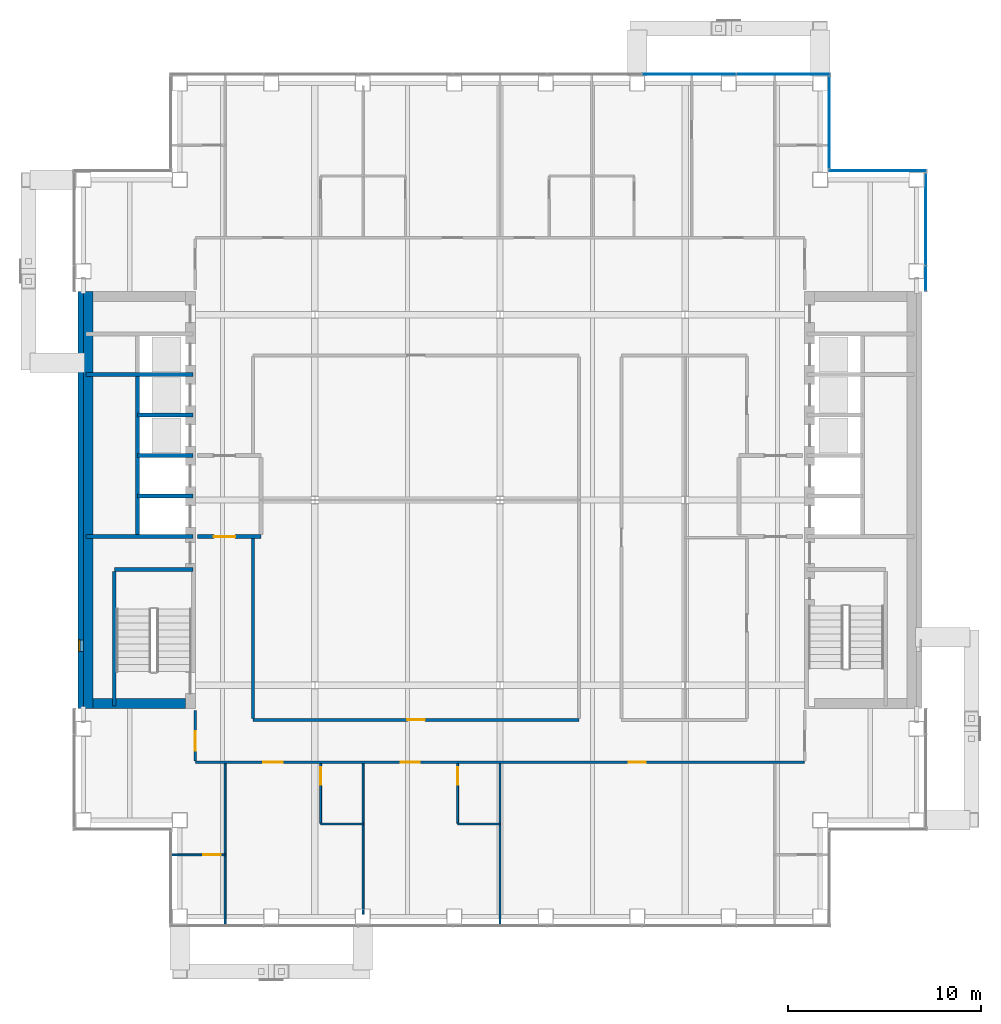
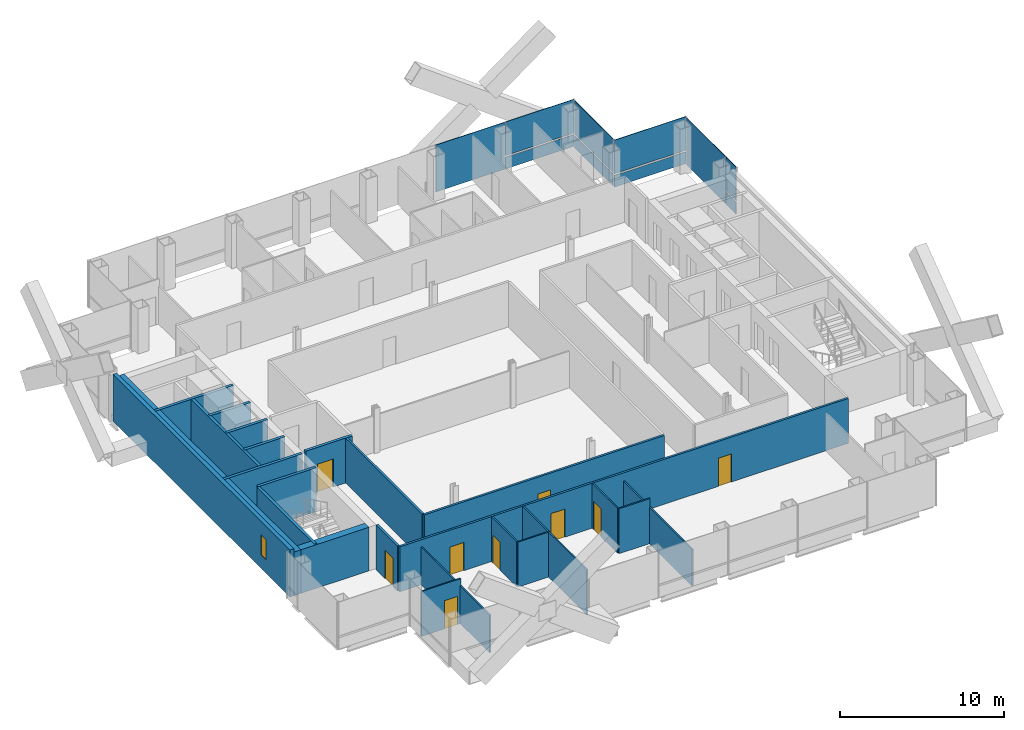
# One storey, part 9 of 14: 24 walls, 10 plates, 9 doors, 1 window, 10 openings, 4 elements without a shape of their own.
"""IFC4 building model written with IfcOpenShell, lengths in metres."""

from ifc_helpers import new_model, si_unit, direction, frame, frame_2d, origin, origin_2d, place, context, subcontext, project, spatial, rectangle, extrude, material, layer, layer_set, type_object, element, fill, aggregate, save


model = new_model("IFC4")

# Units and contexts
model_context = context("Model", 3, precision=1e-05, world=origin(), true_north=direction((0.0, 1.0)))
body_context = subcontext(model_context, "Body", "Model", "MODEL_VIEW")
ifc_project = project(units=[si_unit("LENGTHUNIT", "METRE"), si_unit("AREAUNIT", "SQUARE_METRE"), si_unit("VOLUMEUNIT", "CUBIC_METRE"), si_unit("PLANEANGLEUNIT", "RADIAN"), si_unit("MASSUNIT", "GRAM", prefix="KILO")], contexts=[model_context])

# Site, building, storey
site_placement = place(None, origin())
site = spatial("IfcSite", under=ifc_project, at=site_placement, CompositionType="ELEMENT")
building_placement = place(site_placement, origin())
building = spatial("IfcBuilding", under=site, at=building_placement, Name="Cobrizo Arcos Hotel Tower", CompositionType="ELEMENT")
storey_placement = place(building_placement, frame((0.0, 0.0, 179.5)))
storey = spatial("IfcBuildingStorey", under=building, at=storey_placement, Name="L46", CompositionType="ELEMENT", Elevation=179.5)

# Curtain wall, plate
ifc_material_1 = material(Name="Aluminium 6063-T6 anodised bronze", Category="aluminium")
curtain_wall_type = type_object("IfcCurtainWallType", Name="CW-A guest facade", PredefinedType="NOTDEFINED", material=ifc_material_1)
curtain_wall_1_placement = place(storey_placement, origin())
curtain_wall_1 = element("IfcCurtainWall", 1, at=curtain_wall_1_placement, inside=storey, type_object=curtain_wall_type, Name="CW-A L46 E face", PredefinedType="NOTDEFINED")
ifc_material_2 = material(Name="Glass clear laminated low-e", Category="glass")
ifc_layer_1 = layer(ifc_material_2, 0.0400390625)
ifc_layer_set_1 = layer_set([ifc_layer_1], Name="CW-A glass panel")
plate_type_1 = type_object("IfcPlateType", Name="CW-A glass panel", PredefinedType="CURTAIN_PANEL", material=ifc_layer_set_1)
plate_1_placement = place(storey_placement, frame((22.074951171875, 11.486328125, 0.990234375), z_axis=(0.0, 0.0, 1.0), x_axis=(0.0, 1.0, 0.0)))
plate_1 = element("IfcPlate", 2, at=plate_1_placement, type_object=plate_type_1, Name="CW-A glass panel 1617", PredefinedType="CURTAIN_PANEL", context=body_context, shape_type="SweptSolid", body=[
    extrude(rectangle(XDim=1.2529296875, YDim=0.0400390625, at=origin_2d()), origin(), (0.0, 0.0, 1.0), 2.510009765625),
])

curtain_wall_2_placement = place(storey_placement, origin())
curtain_wall_2 = element("IfcCurtainWall", 3, at=curtain_wall_2_placement, inside=storey, type_object=curtain_wall_type, Name="CW-A L46 N face", PredefinedType="NOTDEFINED")
plate_2_placement = place(storey_placement, frame((19.574951171875, 17.074951171875, 0.990234375), z_axis=(0.0, 0.0, 1.0), x_axis=(-1.0, 0.0, 0.0)))
plate_2 = element("IfcPlate", 4, at=plate_2_placement, type_object=plate_type_1, Name="CW-A glass panel 1619", PredefinedType="CURTAIN_PANEL", context=body_context, shape_type="SweptSolid", body=[
    extrude(rectangle(XDim=5.030029296875, YDim=0.0400390625, at=origin_2d()), origin(), (0.0, 0.0, 1.0), 2.510009765625),
])

curtain_wall_3_placement = place(storey_placement, origin())
curtain_wall_3 = element("IfcCurtainWall", 5, at=curtain_wall_3_placement, inside=storey, type_object=curtain_wall_type, Name="CW-A L46 E face", PredefinedType="NOTDEFINED")
plate_3_placement = place(storey_placement, frame((17.074951171875, 19.574951171875, 0.990234375), z_axis=(0.0, 0.0, 1.0), x_axis=(0.0, 1.0, 0.0)))
plate_3 = element("IfcPlate", 6, at=plate_3_placement, type_object=plate_type_1, Name="CW-A glass panel 1620", PredefinedType="CURTAIN_PANEL", context=body_context, shape_type="SweptSolid", body=[
    extrude(rectangle(XDim=4.72998046875, YDim=0.0400390625, at=origin_2d()), origin(), (0.0, 0.0, 1.0), 2.510009765625),
])

curtain_wall_4_placement = place(storey_placement, origin())
curtain_wall_4 = element("IfcCurtainWall", 7, at=curtain_wall_4_placement, inside=storey, type_object=curtain_wall_type, Name="CW-A L46 N face", PredefinedType="NOTDEFINED")
plate_4_placement = place(storey_placement, frame((14.68505859375, 22.074951171875, 0.990234375), z_axis=(0.0, 0.0, 1.0), x_axis=(-1.0, 0.0, 0.0)))
plate_4 = element("IfcPlate", 8, at=plate_4_placement, type_object=plate_type_1, Name="CW-A glass panel 1621", PredefinedType="CURTAIN_PANEL", context=body_context, shape_type="SweptSolid", body=[
    extrude(rectangle(XDim=4.81005859375, YDim=0.0400390625, at=origin_2d()), origin(), (0.0, 0.0, 1.0), 2.510009765625),
])

# Plate
ifc_material_3 = material(Name="Aluminium composite panel pale metal", Category="aluminium")
ifc_layer_2 = layer(ifc_material_3, 0.0400390625)
ifc_layer_set_2 = layer_set([ifc_layer_2], Name="CW-A spandrel panel")
plate_type_2 = type_object("IfcPlateType", Name="CW-A spandrel panel", PredefinedType="CURTAIN_PANEL", material=ifc_layer_set_2)
plate_5_placement = place(storey_placement, frame((22.074951171875, 11.486328125, 0.0), z_axis=(0.0, 0.0, 1.0), x_axis=(0.0, 1.0, 0.0)))
plate_5 = element("IfcPlate", 9, at=plate_5_placement, type_object=plate_type_2, Name="CW-A spandrel panel 1617", PredefinedType="CURTAIN_PANEL", context=body_context, shape_type="SweptSolid", body=[
    extrude(rectangle(XDim=1.2529296875, YDim=0.0400390625, at=origin_2d()), origin(), (0.0, 0.0, 1.0), 0.8701171875),
])

plate_6_placement = place(storey_placement, frame((22.074951171875, 14.556396484375, 0.0), z_axis=(0.0, 0.0, 1.0), x_axis=(0.0, 1.0, 0.0)))
plate_6 = element("IfcPlate", 10, at=plate_6_placement, type_object=plate_type_2, Name="CW-A spandrel panel 1618", PredefinedType="CURTAIN_PANEL", context=body_context, shape_type="SweptSolid", body=[
    extrude(rectangle(XDim=4.76708984375, YDim=0.0400390625, at=origin_2d()), origin(), (0.0, 0.0, 1.0), 3.5),
])

aggregate(curtain_wall_1, [plate_5, plate_1, plate_6])

plate_7_placement = place(storey_placement, frame((19.574951171875, 17.074951171875, 0.0), z_axis=(0.0, 0.0, 1.0), x_axis=(-1.0, 0.0, 0.0)))
plate_7 = element("IfcPlate", 11, at=plate_7_placement, type_object=plate_type_2, Name="CW-A spandrel panel 1619", PredefinedType="CURTAIN_PANEL", context=body_context, shape_type="SweptSolid", body=[
    extrude(rectangle(XDim=5.030029296875, YDim=0.0400390625, at=origin_2d()), origin(), (0.0, 0.0, 1.0), 0.8701171875),
])

aggregate(curtain_wall_2, [plate_7, plate_2])

plate_8_placement = place(storey_placement, frame((17.074951171875, 19.574951171875, 0.0), z_axis=(0.0, 0.0, 1.0), x_axis=(0.0, 1.0, 0.0)))
plate_8 = element("IfcPlate", 12, at=plate_8_placement, type_object=plate_type_2, Name="CW-A spandrel panel 1620", PredefinedType="CURTAIN_PANEL", context=body_context, shape_type="SweptSolid", body=[
    extrude(rectangle(XDim=4.72998046875, YDim=0.0400390625, at=origin_2d()), origin(), (0.0, 0.0, 1.0), 0.8701171875),
])

aggregate(curtain_wall_3, [plate_8, plate_3])

plate_9_placement = place(storey_placement, frame((14.68505859375, 22.074951171875, 0.0), z_axis=(0.0, 0.0, 1.0), x_axis=(-1.0, 0.0, 0.0)))
plate_9 = element("IfcPlate", 13, at=plate_9_placement, type_object=plate_type_2, Name="CW-A spandrel panel 1621", PredefinedType="CURTAIN_PANEL", context=body_context, shape_type="SweptSolid", body=[
    extrude(rectangle(XDim=4.81005859375, YDim=0.0400390625, at=origin_2d()), origin(), (0.0, 0.0, 1.0), 0.8701171875),
])

plate_10_placement = place(storey_placement, frame((9.800048828125, 22.074951171875, 0.0), z_axis=(0.0, 0.0, 1.0), x_axis=(-1.0, 0.0, 0.0)))
plate_10 = element("IfcPlate", 14, at=plate_10_placement, type_object=plate_type_2, Name="CW-A spandrel panel 1622", PredefinedType="CURTAIN_PANEL", context=body_context, shape_type="SweptSolid", body=[
    extrude(rectangle(XDim=4.840087890625, YDim=0.0400390625, at=origin_2d()), origin(), (0.0, 0.0, 1.0), 3.5),
])

aggregate(curtain_wall_4, [plate_9, plate_4, plate_10])

# Wall, openings, doors
ifc_material_4 = material(Name="Gypsum board partition")
ifc_layer_3 = layer(ifc_material_4, 0.14990234375)
ifc_layer_set_3 = layer_set([ifc_layer_3], Name="Corridor wall EI 60 150")
wall_type_1 = type_object("IfcWallType", Name="Corridor wall EI 60 150", PredefinedType="PARTITIONING", material=ifc_layer_set_3)
wall_1_placement = place(storey_placement, frame((-15.800048828125, -13.60009765625, 0.0), z_axis=(0.0, 0.0, 1.0), x_axis=(1.0, 0.0, 0.0)))
wall_1 = element("IfcWall", 15, at=wall_1_placement, inside=storey, type_object=wall_type_1, Name="Partition 005", PredefinedType="PARTITIONING", context=body_context, shape_type="SweptSolid", body=[
    extrude(rectangle(XDim=31.60009765625, YDim=0.14990234375, at=frame_2d((15.800048828125, 0.0))), origin(), (0.0, 0.0, 1.0), 3.35009765625),
])
opening_1_placement = place(wall_1_placement, frame((3.529052734375, 0.0, 0.0)))
opening_1 = element("IfcOpeningElement", 16, at=opening_1_placement, cuts=wall_1, Name="Opening GD-05", PredefinedType="OPENING", context=body_context, shape_type="SweptSolid", body=[
    extrude(rectangle(XDim=1.0, YDim=2.10009765625, at=frame_2d((0.5, 1.050048828125))), frame((0.0, 0.0869140625, 0.0), z_axis=(0.0, -1.0, 0.0), x_axis=(1.0, 0.0, 0.0)), (0.0, 0.0, 1.0), 0.173828125),
])
opening_2_placement = place(wall_1_placement, frame((10.64306640625, 0.0, 0.0)))
opening_2 = element("IfcOpeningElement", 17, at=opening_2_placement, cuts=wall_1, Name="Opening GD-06", PredefinedType="OPENING", context=body_context, shape_type="SweptSolid", body=[
    extrude(rectangle(XDim=1.0, YDim=2.10009765625, at=frame_2d((0.5, 1.050048828125))), frame((0.0, 0.0869140625, 0.0), z_axis=(0.0, -1.0, 0.0), x_axis=(1.0, 0.0, 0.0)), (0.0, 0.0, 1.0), 0.173828125),
])
opening_3_placement = place(wall_1_placement, frame((22.465087890625, 0.0, 0.0)))
opening_3 = element("IfcOpeningElement", 18, at=opening_3_placement, cuts=wall_1, Name="Opening RD-04", PredefinedType="OPENING", context=body_context, shape_type="SweptSolid", body=[
    extrude(rectangle(XDim=0.89990234375, YDim=2.10009765625, at=frame_2d((0.449951171875, 1.050048828125))), frame((0.0, 0.0869140625, 0.0), z_axis=(0.0, -1.0, 0.0), x_axis=(1.0, 0.0, 0.0)), (0.0, 0.0, 1.0), 0.173828125),
])
ifc_material_5 = material(Name="Timber door leaf", Category="wood")
door_type_1 = type_object("IfcDoorType", Name="Guest room door FD30S 1000x2100", OperationType="SINGLE_SWING_LEFT", PredefinedType="DOOR", material=ifc_material_5)
door_1_placement = place(opening_1_placement, origin())
door_1 = element("IfcDoor", 19, at=door_1_placement, inside=storey, type_object=door_type_1, Name="Door GD-05", OperationType="SINGLE_SWING_RIGHT", OverallHeight=2.10009765625, OverallWidth=1.0, PredefinedType="DOOR", context=body_context, shape_type="SweptSolid", body=[
    extrude(rectangle(XDim=1.0, YDim=2.10009765625, at=frame_2d((0.5, 1.050048828125))), frame((0.0, 0.02490234375, 0.0), z_axis=(0.0, -1.0, 0.0), x_axis=(1.0, 0.0, 0.0)), (0.0, 0.0, 1.0), 0.050048828125),
])
fill(opening_1, door_1)
door_2_placement = place(opening_2_placement, origin())
door_2 = element("IfcDoor", 20, at=door_2_placement, inside=storey, type_object=door_type_1, Name="Door GD-06", OperationType="SINGLE_SWING_RIGHT", OverallHeight=2.10009765625, OverallWidth=1.0, PredefinedType="DOOR", context=body_context, shape_type="SweptSolid", body=[
    extrude(rectangle(XDim=1.0, YDim=2.10009765625, at=frame_2d((0.5, 1.050048828125))), frame((0.0, 0.02490234375, 0.0), z_axis=(0.0, -1.0, 0.0), x_axis=(1.0, 0.0, 0.0)), (0.0, 0.0, 1.0), 0.050048828125),
])
fill(opening_2, door_2)
door_type_2 = type_object("IfcDoorType", Name="Room door FD30 900x2100", OperationType="SINGLE_SWING_LEFT", PredefinedType="DOOR", material=ifc_material_5)
door_3_placement = place(opening_3_placement, origin())
door_3 = element("IfcDoor", 21, at=door_3_placement, inside=storey, type_object=door_type_2, Name="Door RD-04", OperationType="SINGLE_SWING_LEFT", OverallHeight=2.10009765625, OverallWidth=0.89990234375, PredefinedType="DOOR", context=body_context, shape_type="SweptSolid", body=[
    extrude(rectangle(XDim=0.89990234375, YDim=2.10009765625, at=frame_2d((0.449951171875, 1.050048828125))), frame((0.0, 0.02490234375, 0.0), z_axis=(0.0, -1.0, 0.0), x_axis=(1.0, 0.0, 0.0)), (0.0, 0.0, 1.0), 0.050048828125),
])
fill(opening_3, door_3)

# Wall, opening, door
wall_2_placement = place(storey_placement, frame((-12.800048828125, -11.39990234375, 0.0), z_axis=(0.0, 0.0, 1.0), x_axis=(1.0, 0.0, 0.0)))
wall_2 = element("IfcWall", 22, at=wall_2_placement, inside=storey, type_object=wall_type_1, Name="Partition 006", PredefinedType="PARTITIONING", context=body_context, shape_type="SweptSolid", body=[
    extrude(rectangle(XDim=16.900146484375, YDim=0.14990234375, at=frame_2d((8.4501953125, 0.0))), origin(), (0.0, 0.0, 1.0), 3.35009765625),
])
opening_4_placement = place(wall_2_placement, frame((8.0, 0.0, 0.0)))
opening_4 = element("IfcOpeningElement", 23, at=opening_4_placement, cuts=wall_2, Name="Opening RD-07", PredefinedType="OPENING", context=body_context, shape_type="SweptSolid", body=[
    extrude(rectangle(XDim=0.89990234375, YDim=2.10009765625, at=frame_2d((0.449951171875, 1.050048828125))), frame((0.0, 0.0869140625, 0.0), z_axis=(0.0, -1.0, 0.0), x_axis=(1.0, 0.0, 0.0)), (0.0, 0.0, 1.0), 0.173828125),
])
door_4_placement = place(opening_4_placement, origin())
door_4 = element("IfcDoor", 24, at=door_4_placement, inside=storey, type_object=door_type_2, Name="Door RD-07", OperationType="SINGLE_SWING_LEFT", OverallHeight=2.10009765625, OverallWidth=0.89990234375, PredefinedType="DOOR", context=body_context, shape_type="SweptSolid", body=[
    extrude(rectangle(XDim=0.89990234375, YDim=2.10009765625, at=frame_2d((0.449951171875, 1.050048828125))), frame((0.0, 0.02490234375, 0.0), z_axis=(0.0, -1.0, 0.0), x_axis=(1.0, 0.0, 0.0)), (0.0, 0.0, 1.0), 0.050048828125),
])
fill(opening_4, door_4)

wall_3_placement = place(storey_placement, frame((-15.800048828125, -13.52490234375, 0.0), z_axis=(0.0, 0.0, 1.0), x_axis=(0.0, 1.0, 0.0)))
wall_3 = element("IfcWall", 25, at=wall_3_placement, inside=storey, type_object=wall_type_1, Name="Partition 043", PredefinedType="PARTITIONING", context=body_context, shape_type="SweptSolid", body=[
    extrude(rectangle(XDim=2.60498046875, YDim=0.14990234375, at=frame_2d((1.302490234375, 0.0))), origin(), (0.0, 0.0, 1.0), 3.35009765625),
])
opening_5_placement = place(wall_3_placement, frame((0.52490234375, 0.0, 0.0)))
opening_5 = element("IfcOpeningElement", 26, at=opening_5_placement, cuts=wall_3, Name="Opening GD-07", PredefinedType="OPENING", context=body_context, shape_type="SweptSolid", body=[
    extrude(rectangle(XDim=1.0, YDim=2.10009765625, at=frame_2d((0.5, 1.050048828125))), frame((0.0, 0.0869140625, 0.0), z_axis=(0.0, -1.0, 0.0), x_axis=(1.0, 0.0, 0.0)), (0.0, 0.0, 1.0), 0.173828125),
])
door_5_placement = place(opening_5_placement, origin())
door_5 = element("IfcDoor", 27, at=door_5_placement, inside=storey, type_object=door_type_1, Name="Door GD-07", OperationType="SINGLE_SWING_RIGHT", OverallHeight=2.10009765625, OverallWidth=1.0, PredefinedType="DOOR", context=body_context, shape_type="SweptSolid", body=[
    extrude(rectangle(XDim=1.0, YDim=2.10009765625, at=frame_2d((0.5, 1.050048828125))), frame((0.0, 0.02490234375, 0.0), z_axis=(0.0, -1.0, 0.0), x_axis=(1.0, 0.0, 0.0)), (0.0, 0.0, 1.0), 0.050048828125),
])
fill(opening_5, door_5)

# Wall
wall_4_placement = place(storey_placement, frame((-12.800048828125, -11.324951171875, 0.0), z_axis=(0.0, 0.0, 1.0), x_axis=(0.0, 1.0, 0.0)))
element("IfcWall", 28, at=wall_4_placement, inside=storey, type_object=wall_type_1, Name="Partition 047", PredefinedType="PARTITIONING", context=body_context, shape_type="SweptSolid", body=[
    extrude(rectangle(XDim=9.324951171875, YDim=0.14990234375, at=frame_2d((4.66259765625, 0.0))), origin(), (0.0, 0.0, 1.0), 3.35009765625),
])

# Wall, opening, window
ifc_layer_4 = layer(ifc_material_3, 0.27490234375)
ifc_layer_set_4 = layer_set([ifc_layer_4], Name="EW-1 insulated panel wall 275")
wall_type_2 = type_object("IfcWallType", Name="EW-1 insulated panel wall 275", PredefinedType="SOLIDWALL", material=ifc_layer_set_4)
wall_5_placement = place(storey_placement, frame((-21.737548828125, 10.800048828125, 0.0), z_axis=(0.0, 0.0, 1.0), x_axis=(0.0, -1.0, 0.0)))
wall_5 = element("IfcWall", 29, at=wall_5_placement, inside=storey, type_object=wall_type_2, Name="Core face wall L46 W", PredefinedType="SOLIDWALL", context=body_context, shape_type="SweptSolid", body=[
    extrude(rectangle(XDim=21.60009765625, YDim=0.27490234375, at=frame_2d((10.800048828125, 0.0))), origin(), (0.0, 0.0, 1.0), 3.5),
])
opening_6_placement = place(wall_5_placement, frame((18.050048828125, 0.0, 1.0)))
opening_6 = element("IfcOpeningElement", 30, at=opening_6_placement, cuts=wall_5, Name="Opening W-100", PredefinedType="OPENING", context=body_context, shape_type="SweptSolid", body=[
    extrude(rectangle(XDim=0.60009765625, YDim=1.5, at=frame_2d((0.300048828125, 0.75))), frame((0.0, 0.1494140625, 0.0), z_axis=(0.0, -1.0, 0.0), x_axis=(1.0, 0.0, 0.0)), (0.0, 0.0, 1.0), 0.298828125),
])
ifc_material_6 = material(Name="Aluminium 6063-T6 and clear laminated glass", Category="aluminium")
window_type = type_object("IfcWindowType", Name="W-C1 core stair slot window 600x1500", PartitioningType="SINGLE_PANEL", PredefinedType="WINDOW", material=ifc_material_6)
window_placement = place(opening_6_placement, origin())
window = element("IfcWindow", 31, at=window_placement, inside=storey, type_object=window_type, Name="Core face wall L46 W window W-100", OverallHeight=1.5, OverallWidth=0.60009765625, PartitioningType="SINGLE_PANEL", PredefinedType="WINDOW", context=body_context, shape_type="SweptSolid", body=[
    extrude(rectangle(XDim=0.60009765625, YDim=1.5, at=frame_2d((0.300048828125, 0.75))), frame((0.0, -0.04736328125, 0.0), z_axis=(0.0, -1.0, 0.0), x_axis=(1.0, 0.0, 0.0)), (0.0, 0.0, 1.0), 0.06005859375),
])
fill(opening_6, window)

# Wall, opening, door
ifc_layer_5 = layer(ifc_material_4, 0.10009765625)
ifc_layer_set_5 = layer_set([ifc_layer_5], Name="Partition EI 30 100")
wall_type_3 = type_object("IfcWallType", Name="Partition EI 30 100", PredefinedType="PARTITIONING", material=ifc_layer_set_5)
wall_6_placement = place(storey_placement, frame((-17.030029296875, -18.39990234375, 0.0), z_axis=(0.0, 0.0, 1.0), x_axis=(1.0, 0.0, 0.0)))
wall_6 = element("IfcWall", 32, at=wall_6_placement, inside=storey, type_object=wall_type_3, Name="Partition 001", PredefinedType="PARTITIONING", context=body_context, shape_type="SweptSolid", body=[
    extrude(rectangle(XDim=2.780029296875, YDim=0.10009765625, at=frame_2d((1.39013671875, 0.0))), origin(), (0.0, 0.0, 1.0), 3.35009765625),
])
opening_7_placement = place(wall_6_placement, frame((1.639892578125, 0.0, 0.0)))
opening_7 = element("IfcOpeningElement", 33, at=opening_7_placement, cuts=wall_6, Name="Opening ED-07", PredefinedType="OPENING", context=body_context, shape_type="SweptSolid", body=[
    extrude(rectangle(XDim=0.89990234375, YDim=2.10009765625, at=frame_2d((0.449951171875, 1.050048828125))), frame((0.0, 0.06201171875, 0.0), z_axis=(0.0, -1.0, 0.0), x_axis=(1.0, 0.0, 0.0)), (0.0, 0.0, 1.0), 0.1240234375),
])
door_type_3 = type_object("IfcDoorType", Name="En-suite door 900x2100", OperationType="SINGLE_SWING_LEFT", PredefinedType="DOOR", material=ifc_material_5)
door_6_placement = place(opening_7_placement, origin())
door_6 = element("IfcDoor", 34, at=door_6_placement, inside=storey, type_object=door_type_3, Name="Door ED-07", OperationType="SINGLE_SWING_RIGHT", OverallHeight=2.10009765625, OverallWidth=0.89990234375, PredefinedType="DOOR", context=body_context, shape_type="SweptSolid", body=[
    extrude(rectangle(XDim=0.89990234375, YDim=2.10009765625, at=frame_2d((0.449951171875, 1.050048828125))), frame((0.0, 0.02490234375, 0.0), z_axis=(0.0, -1.0, 0.0), x_axis=(1.0, 0.0, 0.0)), (0.0, 0.0, 1.0), 0.050048828125),
])
fill(opening_7, door_6)

# Walls
for number, where, z_axis, x_axis, name in (
    (35, (-9.300048828125, -16.800048828125, 0.0), (0.0, 0.0, 1.0), (1.0, 0.0, 0.0), "Partition 003"),
    (36, (-2.199951171875, -16.800048828125, 0.0), (0.0, 0.0, 1.0), (1.0, 0.0, 0.0), "Partition 004"),
):
    element("IfcWall", number, at=place(storey_placement, frame(where, z_axis=z_axis, x_axis=x_axis)), inside=storey, type_object=wall_type_3, Name=name, PredefinedType="PARTITIONING", context=body_context, shape_type="SweptSolid", body=[
        extrude(rectangle(XDim=2.199951171875, YDim=0.10009765625, at=frame_2d((1.10009765625, 0.0))), origin(), (0.0, 0.0, 1.0), 3.35009765625),
    ])
wall_7_placement = place(storey_placement, frame((-14.25, -22.030029296875, 0.0), z_axis=(0.0, 0.0, 1.0), x_axis=(0.0, 1.0, 0.0)))
element("IfcWall", 37, at=wall_7_placement, inside=storey, type_object=wall_type_3, Name="Partition 045", PredefinedType="PARTITIONING", context=body_context, shape_type="SweptSolid", body=[
    extrude(rectangle(XDim=8.35498046875, YDim=0.10009765625, at=frame_2d((4.177490234375, 0.0))), origin(), (0.0, 0.0, 1.0), 2.81689453125),
])

# Wall, opening, door
wall_8_placement = place(storey_placement, frame((-9.300048828125, -16.75, 0.0), z_axis=(0.0, 0.0, 1.0), x_axis=(0.0, 1.0, 0.0)))
wall_8 = element("IfcWall", 38, at=wall_8_placement, inside=storey, type_object=wall_type_3, Name="Partition 050", PredefinedType="PARTITIONING", context=body_context, shape_type="SweptSolid", body=[
    extrude(rectangle(XDim=3.074951171875, YDim=0.10009765625, at=frame_2d((1.53759765625, 0.0))), origin(), (0.0, 0.0, 1.0), 3.35009765625),
])
opening_8_placement = place(wall_8_placement, frame((1.99609375, 0.0, 0.0)))
opening_8 = element("IfcOpeningElement", 39, at=opening_8_placement, cuts=wall_8, Name="Opening ED-05", PredefinedType="OPENING", context=body_context, shape_type="SweptSolid", body=[
    extrude(rectangle(XDim=0.89990234375, YDim=2.10009765625, at=frame_2d((0.449951171875, 1.050048828125))), frame((0.0, 0.06201171875, 0.0), z_axis=(0.0, -1.0, 0.0), x_axis=(1.0, 0.0, 0.0)), (0.0, 0.0, 1.0), 0.1240234375),
])
door_7_placement = place(opening_8_placement, origin())
door_7 = element("IfcDoor", 40, at=door_7_placement, inside=storey, type_object=door_type_3, Name="Door ED-05", OperationType="SINGLE_SWING_LEFT", OverallHeight=2.10009765625, OverallWidth=0.89990234375, PredefinedType="DOOR", context=body_context, shape_type="SweptSolid", body=[
    extrude(rectangle(XDim=0.89990234375, YDim=2.10009765625, at=frame_2d((0.449951171875, 1.050048828125))), frame((0.0, 0.02490234375, 0.0), z_axis=(0.0, -1.0, 0.0), x_axis=(1.0, 0.0, 0.0)), (0.0, 0.0, 1.0), 0.050048828125),
])
fill(opening_8, door_7)

# Wall
wall_9_placement = place(storey_placement, frame((-7.10009765625, -21.47998046875, 0.0), z_axis=(0.0, 0.0, 1.0), x_axis=(0.0, 1.0, 0.0)))
element("IfcWall", 41, at=wall_9_placement, inside=storey, type_object=wall_type_3, Name="Partition 052", PredefinedType="PARTITIONING", context=body_context, shape_type="SweptSolid", body=[
    extrude(rectangle(XDim=7.804931640625, YDim=0.10009765625, at=frame_2d((3.90234375, 0.0))), origin(), (0.0, 0.0, 1.0), 3.35009765625),
])

# Wall, opening, door
wall_10_placement = place(storey_placement, frame((-2.199951171875, -16.75, 0.0), z_axis=(0.0, 0.0, 1.0), x_axis=(0.0, 1.0, 0.0)))
wall_10 = element("IfcWall", 42, at=wall_10_placement, inside=storey, type_object=wall_type_3, Name="Partition 056", PredefinedType="PARTITIONING", context=body_context, shape_type="SweptSolid", body=[
    extrude(rectangle(XDim=3.074951171875, YDim=0.10009765625, at=frame_2d((1.53759765625, 0.0))), origin(), (0.0, 0.0, 1.0), 3.35009765625),
])
opening_9_placement = place(wall_10_placement, frame((1.99609375, 0.0, 0.0)))
opening_9 = element("IfcOpeningElement", 43, at=opening_9_placement, cuts=wall_10, Name="Opening ED-06", PredefinedType="OPENING", context=body_context, shape_type="SweptSolid", body=[
    extrude(rectangle(XDim=0.89990234375, YDim=2.10009765625, at=frame_2d((0.449951171875, 1.050048828125))), frame((0.0, 0.06201171875, 0.0), z_axis=(0.0, -1.0, 0.0), x_axis=(1.0, 0.0, 0.0)), (0.0, 0.0, 1.0), 0.1240234375),
])
door_8_placement = place(opening_9_placement, origin())
door_8 = element("IfcDoor", 44, at=door_8_placement, inside=storey, type_object=door_type_3, Name="Door ED-06", OperationType="SINGLE_SWING_LEFT", OverallHeight=2.10009765625, OverallWidth=0.89990234375, PredefinedType="DOOR", context=body_context, shape_type="SweptSolid", body=[
    extrude(rectangle(XDim=0.89990234375, YDim=2.10009765625, at=frame_2d((0.449951171875, 1.050048828125))), frame((0.0, 0.02490234375, 0.0), z_axis=(0.0, -1.0, 0.0), x_axis=(1.0, 0.0, 0.0)), (0.0, 0.0, 1.0), 0.050048828125),
])
fill(opening_9, door_8)

# Walls
wall_11_placement = place(storey_placement, frame((0.0, -22.030029296875, 0.0), z_axis=(0.0, 0.0, 1.0), x_axis=(0.0, 1.0, 0.0)))
element("IfcWall", 45, at=wall_11_placement, inside=storey, type_object=wall_type_3, Name="Partition 057", PredefinedType="PARTITIONING", context=body_context, shape_type="SweptSolid", body=[
    extrude(rectangle(XDim=8.35498046875, YDim=0.10009765625, at=frame_2d((4.177490234375, 0.0))), origin(), (0.0, 0.0, 1.0), 2.72802734375),
])
ifc_material_7 = material(Name="Concrete f'c 50 MPa", Category="concrete")
ifc_layer_6 = layer(ifc_material_7, 0.5)
ifc_layer_set_6 = layer_set([ifc_layer_6], Name="RC core wall 500 f'c 50")
wall_type_4 = type_object("IfcWallType", Name="RC core wall 500 f'c 50", PredefinedType="SHEAR", material=ifc_layer_set_6)
wall_12_placement = place(storey_placement, frame((-21.35009765625, -10.800048828125, 0.0), z_axis=(0.0, 0.0, 1.0), x_axis=(0.0, 1.0, 0.0)))
element("IfcWall", 46, at=wall_12_placement, inside=storey, type_object=wall_type_4, Name="Core wall CW3, west core, outer face, L46", PredefinedType="SHEAR", context=body_context, shape_type="SweptSolid", body=[
    extrude(rectangle(XDim=21.60009765625, YDim=0.5, at=frame_2d((10.800048828125, 0.0))), origin(), (0.0, 0.0, 1.0), 3.25),
])
wall_13_placement = place(storey_placement, frame((-21.10009765625, -10.550048828125, 0.0), z_axis=(0.0, 0.0, 1.0), x_axis=(1.0, 0.0, 0.0)))
element("IfcWall", 47, at=wall_13_placement, inside=storey, type_object=wall_type_4, Name="Core wall CW3, west core, south end, L46", PredefinedType="SHEAR", context=body_context, shape_type="SweptSolid", body=[
    extrude(rectangle(XDim=4.800048828125, YDim=0.5, at=frame_2d((2.39990234375, 0.0))), origin(), (0.0, 0.0, 1.0), 3.25),
])
ifc_layer_7 = layer(ifc_material_4, 0.199951171875)
ifc_layer_set_7 = layer_set([ifc_layer_7], Name="Shaft wall EI 120 200")
wall_type_5 = type_object("IfcWallType", Name="Shaft wall EI 120 200", PredefinedType="PARTITIONING", material=ifc_layer_set_7)
wall_14_placement = place(storey_placement, frame((-21.47998046875, -1.89990234375, 0.0), z_axis=(0.0, 0.0, 1.0), x_axis=(1.0, 0.0, 0.0)))
element("IfcWall", 48, at=wall_14_placement, inside=storey, type_object=wall_type_5, Name="Partition 011", PredefinedType="PARTITIONING", context=body_context, shape_type="SweptSolid", body=[
    extrude(rectangle(XDim=5.56005859375, YDim=0.199951171875, at=frame_2d((2.780029296875, 0.0))), origin(), (0.0, 0.0, 1.0), 3.25),
])

# Wall, opening, door
wall_15_placement = place(storey_placement, frame((-15.679931640625, -1.89990234375, 0.0), z_axis=(0.0, 0.0, 1.0), x_axis=(1.0, 0.0, 0.0)))
wall_15 = element("IfcWall", 49, at=wall_15_placement, inside=storey, type_object=wall_type_5, Name="Partition 012", PredefinedType="PARTITIONING", context=body_context, shape_type="SweptSolid", body=[
    extrude(rectangle(XDim=3.280029296875, YDim=0.199951171875, at=frame_2d((1.64013671875, 0.0))), origin(), (0.0, 0.0, 1.0), 3.35009765625),
])
opening_10_placement = place(wall_15_placement, frame((0.840087890625, 0.0, 0.0)))
opening_10 = element("IfcOpeningElement", 50, at=opening_10_placement, cuts=wall_15, Name="Opening FD-03", PredefinedType="OPENING", context=body_context, shape_type="SweptSolid", body=[
    extrude(rectangle(XDim=1.10009765625, YDim=2.10009765625, at=frame_2d((0.550048828125, 1.050048828125))), frame((0.0, 0.112060546875, 0.0), z_axis=(0.0, -1.0, 0.0), x_axis=(1.0, 0.0, 0.0)), (0.0, 0.0, 1.0), 0.223876953125),
])
ifc_material_8 = material(Name="Steel door leaf", Category="steel")
door_type_4 = type_object("IfcDoorType", Name="Fire door FD60 1100x2100", OperationType="SINGLE_SWING_LEFT", PredefinedType="DOOR", material=ifc_material_8)
door_9_placement = place(opening_10_placement, origin())
door_9 = element("IfcDoor", 51, at=door_9_placement, inside=storey, type_object=door_type_4, Name="Door FD-03", OperationType="SINGLE_SWING_RIGHT", OverallHeight=2.10009765625, OverallWidth=1.10009765625, PredefinedType="DOOR", context=body_context, shape_type="SweptSolid", body=[
    extrude(rectangle(XDim=1.10009765625, YDim=2.10009765625, at=frame_2d((0.550048828125, 1.050048828125))), frame((0.0, 0.02490234375, 0.0), z_axis=(0.0, -1.0, 0.0), x_axis=(1.0, 0.0, 0.0)), (0.0, 0.0, 1.0), 0.050048828125),
])
fill(opening_10, door_9)

# Walls
for number, where, z_axis, x_axis, name in (
    (52, (-18.800048828125, 0.199951171875, 0.0), (0.0, 0.0, 1.0), (1.0, 0.0, 0.0), "Partition 020"),
    (53, (-18.800048828125, 2.300048828125, 0.0), (0.0, 0.0, 1.0), (1.0, 0.0, 0.0), "Partition 022"),
    (54, (-18.800048828125, 4.39990234375, 0.0), (0.0, 0.0, 1.0), (1.0, 0.0, 0.0), "Partition 026"),
):
    element("IfcWall", number, at=place(storey_placement, frame(where, z_axis=z_axis, x_axis=x_axis)), inside=storey, type_object=wall_type_5, Name=name, PredefinedType="PARTITIONING", context=body_context, shape_type="SweptSolid", body=[
        extrude(rectangle(XDim=2.880126953125, YDim=0.199951171875, at=frame_2d((1.43994140625, 0.0))), origin(), (0.0, 0.0, 1.0), 3.25),
    ])
wall_16_placement = place(storey_placement, frame((-21.47998046875, 6.5, 0.0), z_axis=(0.0, 0.0, 1.0), x_axis=(1.0, 0.0, 0.0)))
element("IfcWall", 55, at=wall_16_placement, inside=storey, type_object=wall_type_5, Name="Partition 028", PredefinedType="PARTITIONING", context=body_context, shape_type="SweptSolid", body=[
    extrude(rectangle(XDim=5.56005859375, YDim=0.199951171875, at=frame_2d((2.780029296875, 0.0))), origin(), (0.0, 0.0, 1.0), 3.25),
])
wall_17_placement = place(storey_placement, frame((-18.800048828125, -1.800048828125, 0.0), z_axis=(0.0, 0.0, 1.0), x_axis=(0.0, 1.0, 0.0)))
element("IfcWall", 56, at=wall_17_placement, inside=storey, type_object=wall_type_5, Name="Partition 041", PredefinedType="PARTITIONING", context=body_context, shape_type="SweptSolid", body=[
    extrude(rectangle(XDim=8.199951171875, YDim=0.199951171875, at=frame_2d((4.10009765625, 0.0))), origin(), (0.0, 0.0, 1.0), 3.25),
])
ifc_material_9 = material(Name="Concrete f'c 40 MPa", Category="concrete")
ifc_layer_8 = layer(ifc_material_9, 0.199951171875)
ifc_layer_set_8 = layer_set([ifc_layer_8], Name="Stair shaft wall 200")
wall_type_6 = type_object("IfcWallType", Name="Stair shaft wall 200", PredefinedType="SHEAR", material=ifc_layer_set_8)
wall_18_placement = place(storey_placement, frame((-20.0, -3.60009765625, 0.0), z_axis=(0.0, 0.0, 1.0), x_axis=(1.0, 0.0, 0.0)))
element("IfcWall", 57, at=wall_18_placement, inside=storey, type_object=wall_type_6, Name="Stair shaft wall W", PredefinedType="SHEAR", context=body_context, shape_type="SweptSolid", body=[
    extrude(rectangle(XDim=4.080078125, YDim=0.199951171875, at=frame_2d((2.0400390625, 0.0))), origin(), (0.0, 0.0, 1.0), 3.25),
])
wall_19_placement = place(storey_placement, frame((-20.0, -10.679931640625, 0.0), z_axis=(0.0, 0.0, 1.0), x_axis=(0.0, 1.0, 0.0)))
element("IfcWall", 58, at=wall_19_placement, inside=storey, type_object=wall_type_6, Name="Stair shaft wall W", PredefinedType="SHEAR", context=body_context, shape_type="SweptSolid", body=[
    extrude(rectangle(XDim=6.97998046875, YDim=0.199951171875, at=frame_2d((3.489990234375, 0.0))), origin(), (0.0, 0.0, 1.0), 3.25),
])

save(model, "model.ifc")
